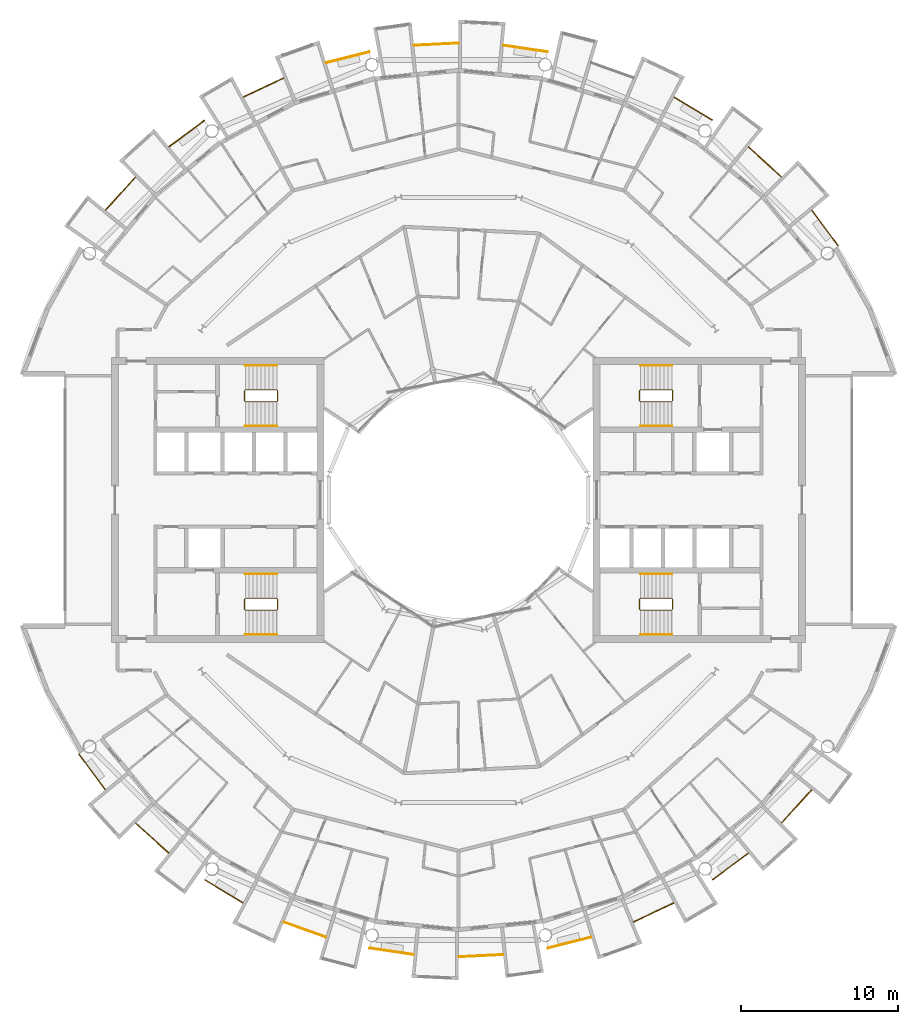
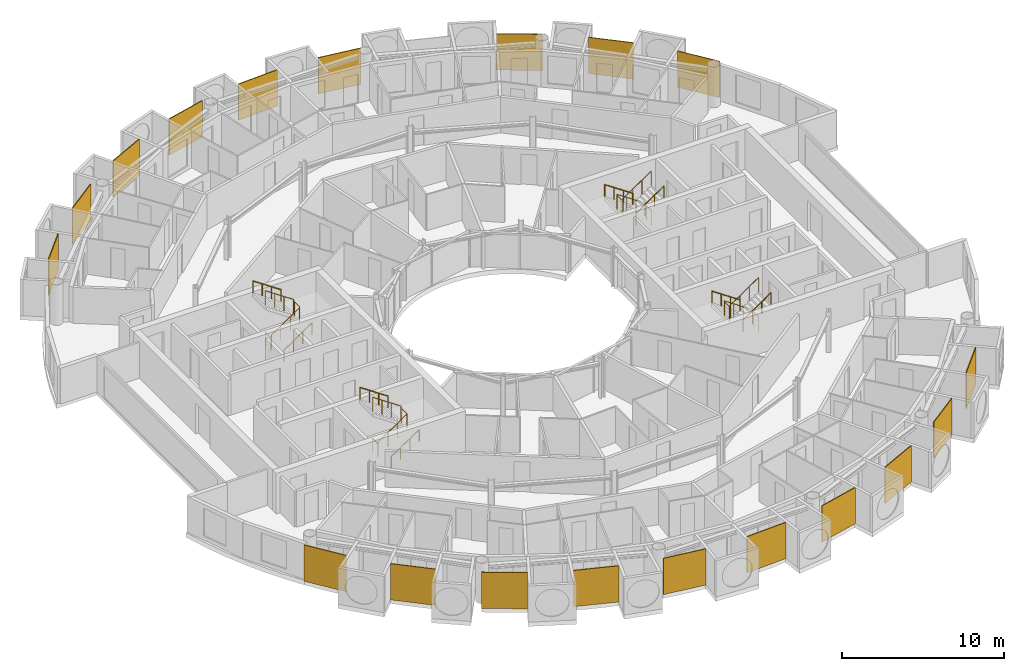
# One storey, part 28 of 29: 31 railings.
"""IFC4 building model written with IfcOpenShell, lengths in metres."""

import ifcopenshell
import ifcopenshell.guid

model = None  # the IFC model being written
_history = None  # IfcOwnerHistory: only IFC2X3 demands one
_inside = {}  # id of a spatial element -> (the spatial element, [elements in it])
_under = {}  # id of a project, library or spatial element -> (it, [spatial elements below it])
_declared = {}  # id of a project -> (the project, [libraries it declares])
_typed = {}  # id of a type object -> (the type object, [elements of that type])
_made_of = {}  # id of a material, layer set ... -> (it, [elements and type objects made of it])


def new_model(schema):
    """Start an empty IFC model of exactly this schema.

    Asked for "IFC4X3", IfcOpenShell would pick the latest addendum, in which some entities
    have other attributes; the version numbers below select the first issue.
    IFC2X3 requires an IfcOwnerHistory on every rooted entity: one is made here for all.
    """
    global model, _history
    if schema == "IFC4X3":
        model = ifcopenshell.file(schema_version=(4, 3, 0, 0))
    else:
        model = ifcopenshell.file(schema=schema)
    _inside.clear()
    _under.clear()
    _declared.clear()
    _typed.clear()
    _made_of.clear()
    _history = None
    if model.schema == "IFC2X3":
        org = make("IfcOrganization", Name="unknown")
        user = make(
            "IfcPersonAndOrganization",
            ThePerson=make("IfcPerson", FamilyName="unknown"),
            TheOrganization=org,
        )
        app = make(
            "IfcApplication",
            ApplicationDeveloper=org,
            Version="unknown",
            ApplicationFullName="unknown",
            ApplicationIdentifier="unknown",
        )
        _history = make(
            "IfcOwnerHistory",
            OwningUser=user,
            OwningApplication=app,
            ChangeAction="ADDED",
            CreationDate=0,
        )
    return model


def make(cls, **values):
    """One entity of the class cls with the attributes given. An attribute that is None is left unset."""
    return model.create_entity(
        cls, **{name: value for name, value in values.items() if value is not None}
    )


def rooted(cls, **values):
    """An entity with a GlobalId (a new one), such as an element, a storey or a relation."""
    return make(cls, GlobalId=ifcopenshell.guid.new(), OwnerHistory=_history, **values)


def si_unit(unit_type, name, prefix=None):
    """IfcSIUnit, for example si_unit("LENGTHUNIT", "METRE", prefix="MILLI")."""
    return make("IfcSIUnit", UnitType=unit_type, Prefix=prefix, Name=name)


def assignment(units):
    """IfcUnitAssignment: the units of a project."""
    return None if units is None else make("IfcUnitAssignment", Units=units)


def point(xyz):
    """IfcCartesianPoint."""
    return None if xyz is None else make("IfcCartesianPoint", Coordinates=xyz)


def direction(xyz):
    """IfcDirection."""
    return None if xyz is None else make("IfcDirection", DirectionRatios=xyz)


def frame(location, z_axis=None, x_axis=None):
    """IfcAxis2Placement3D, a coordinate frame: its origin and axes. An axis left out is left unset."""
    return make(
        "IfcAxis2Placement3D",
        Location=point(location),
        Axis=direction(z_axis),
        RefDirection=direction(x_axis),
    )


def frame_2d(location, x_axis=None):
    """IfcAxis2Placement2D, a coordinate frame in the plane: its origin and x axis."""
    return make(
        "IfcAxis2Placement2D", Location=point(location), RefDirection=direction(x_axis)
    )


def origin():
    """The frame at (0, 0, 0) with its axes left unset."""
    return frame((0.0, 0.0, 0.0))


def origin_2d():
    """The frame at (0, 0) in the plane with its x axis left unset."""
    return frame_2d((0.0, 0.0))


def place(relative_to, where):
    """IfcLocalPlacement: puts the frame where relative to a parent placement (None: the world)."""
    return make(
        "IfcLocalPlacement", PlacementRelTo=relative_to, RelativePlacement=where
    )


def context(
    kind, dimensions, precision=None, world=None, true_north=None, identifier=None
):
    """IfcGeometricRepresentationContext, for example the 3D "Model" context."""
    return make(
        "IfcGeometricRepresentationContext",
        ContextIdentifier=identifier,
        ContextType=kind,
        CoordinateSpaceDimension=dimensions,
        Precision=precision,
        WorldCoordinateSystem=world,
        TrueNorth=true_north,
    )


def subcontext(parent, identifier, kind, view, scale=None):
    """IfcGeometricRepresentationSubContext, for example "Body" below "Model"."""
    return make(
        "IfcGeometricRepresentationSubContext",
        ContextIdentifier=identifier,
        ContextType=kind,
        ParentContext=parent,
        TargetScale=scale,
        TargetView=view,
    )


def project(units=None, contexts=None):
    """IfcProject with its units and contexts."""
    return rooted(
        "IfcProject",
        Name="project",
        RepresentationContexts=contexts,
        UnitsInContext=assignment(units),
    )


def spatial(cls, under=None, at=None, **own):
    """A site, building, storey or space (cls), placed at a placement, below another one or the project."""
    s = rooted(cls, ObjectPlacement=at, **own)
    if under is not None:
        _under.setdefault(under.id(), (under, []))[1].append(s)
    return s


def polyline(points):
    """IfcPolyline through the points."""
    return make("IfcPolyline", Points=[point(p) for p in points])


def profile(cls, at=None, kind="AREA", **sizes):
    """A parametric profile (cls). Its sizes go by their IFC names, for example OverallWidth=200.0."""
    return make(cls, ProfileType=kind, Position=at, **sizes)


def circle(**sizes):
    """IfcCircleProfileDef."""
    return profile("IfcCircleProfileDef", **sizes)


def outline(outer, holes=None, kind="AREA"):
    """IfcArbitraryClosedProfileDef: a profile drawn as a closed curve; with holes, ...WithVoids."""
    if holes is None:
        return make("IfcArbitraryClosedProfileDef", ProfileType=kind, OuterCurve=outer)
    return make(
        "IfcArbitraryProfileDefWithVoids",
        ProfileType=kind,
        OuterCurve=outer,
        InnerCurves=holes,
    )


def extrude(swept, where, along, depth):
    """IfcExtrudedAreaSolid: the profile swept, set in the frame where, extruded along a direction by depth."""
    return make(
        "IfcExtrudedAreaSolid",
        SweptArea=swept,
        Position=where,
        ExtrudedDirection=direction(along),
        Depth=depth,
    )


def shape(context_of_items, identifier, shape_type, items):
    """IfcShapeRepresentation: the items that make up one representation, for example the "Body"."""
    return make(
        "IfcShapeRepresentation",
        ContextOfItems=context_of_items,
        RepresentationIdentifier=identifier,
        RepresentationType=shape_type,
        Items=items,
    )


def material(Name=None, Category=None):
    """IfcMaterial."""
    return make("IfcMaterial", Name=Name, Category=Category)


def layer(
    of_material, thickness, ventilated=None, Name=None, Category=None, Priority=None
):
    """IfcMaterialLayer: one layer of a wall or slab, of a material (None: an air gap)."""
    return make(
        "IfcMaterialLayer",
        Material=of_material,
        LayerThickness=thickness,
        IsVentilated=ventilated,
        Name=Name,
        Category=Category,
        Priority=Priority,
    )


def layer_set(layers, Name=None):
    """IfcMaterialLayerSet."""
    return make("IfcMaterialLayerSet", MaterialLayers=layers, LayerSetName=Name)


def made_of(thing, what):
    """Note that an element or type object is made of a material, layer set ...; save() writes the relation."""
    if what is not None:
        _made_of.setdefault(what.id(), (what, []))[1].append(thing)
    return thing


def type_object(cls, material=None, **own):
    """A type object (cls), such as IfcWallType, which elements share."""
    return made_of(rooted(cls, **own), material)


def element(
    cls,
    number,
    at=None,
    inside=None,
    cuts=None,
    type_object=None,
    material=None,
    context=None,
    identifier="Body",
    shape_type=None,
    held_by="IfcProductDefinitionShape",
    body=None,
    shapes=None,
    **own,
):
    """One element of the class cls, such as IfcWall. Its Tag is "e" and its number.

    at: its placement. inside: the storey or other place that contains it. cuts: it is an
    opening in that element (IfcRelVoidsElement). A single representation is given by context,
    identifier, shape_type and body (its items); several are given by shapes. held_by: the class
    of the entity that holds the representations. save() writes the other relations.
    """
    e = rooted(cls, Tag="e%d" % number, ObjectPlacement=at, **own)
    if body is not None:
        shapes = [shape(context, identifier, shape_type, body)]
    if shapes is not None:
        e.Representation = make(held_by, Representations=shapes)
    if inside is not None:
        _inside.setdefault(inside.id(), (inside, []))[1].append(e)
    if cuts is not None:
        rooted(
            "IfcRelVoidsElement", RelatingBuildingElement=cuts, RelatedOpeningElement=e
        )
    if type_object is not None:
        _typed.setdefault(type_object.id(), (type_object, []))[1].append(e)
    return made_of(e, material)


def aggregate(whole, parts):
    """IfcRelAggregates: a whole, such as a stair, and the parts it consists of."""
    return rooted("IfcRelAggregates", RelatingObject=whole, RelatedObjects=parts)


def save(model, path):
    """Write the relations noted so far, then the file.

    IfcRelAggregates (storeys below a building ...), IfcRelContainedInSpatialStructure (elements
    in a storey), IfcRelDefinesByType, IfcRelAssociatesMaterial and IfcRelDeclares: one each for
    every whole, place, type object, material and project.
    """
    for whole, parts in _under.values():
        aggregate(whole, parts)
    for where, things in _inside.values():
        rooted(
            "IfcRelContainedInSpatialStructure",
            RelatedElements=things,
            RelatingStructure=where,
        )
    for kind, things in _typed.values():
        rooted("IfcRelDefinesByType", RelatedObjects=things, RelatingType=kind)
    for what, things in _made_of.values():
        rooted("IfcRelAssociatesMaterial", RelatedObjects=things, RelatingMaterial=what)
    for by, libraries in _declared.values():
        rooted("IfcRelDeclares", RelatingContext=by, RelatedDefinitions=libraries)
    model.write(path)


model = new_model("IFC4")

# Units and contexts
model_context = context("Model", 3, precision=1e-05, world=origin(), true_north=direction((0.0, 1.0)))
body_context = subcontext(model_context, "Body", "Model", "MODEL_VIEW")
ifc_project = project(units=[si_unit("LENGTHUNIT", "METRE"), si_unit("AREAUNIT", "SQUARE_METRE"), si_unit("VOLUMEUNIT", "CUBIC_METRE"), si_unit("PLANEANGLEUNIT", "RADIAN"), si_unit("MASSUNIT", "GRAM", prefix="KILO")], contexts=[model_context])

# Site, building, storey
site_placement = place(None, origin())
site = spatial("IfcSite", under=ifc_project, at=site_placement, CompositionType="ELEMENT")
building_placement = place(site_placement, origin())
building = spatial("IfcBuilding", under=site, at=building_placement, Name="Maasbend Ring Residences", CompositionType="ELEMENT")
storey_placement = place(building_placement, frame((0.0, 0.0, 190.199951171875)))
storey = spatial("IfcBuildingStorey", under=building, at=storey_placement, Name="L54", CompositionType="ELEMENT", Elevation=190.199951171875)

# Railings
ifc_material_1 = material(Name="Pale anodised perforated aluminium", Category="aluminium")
ifc_layer = layer(ifc_material_1, 0.06005859375)
ifc_layer_set = layer_set([ifc_layer], Name="SCREEN-P")
railing_type_1 = type_object("IfcRailingType", Name="SCREEN-P", PredefinedType="GUARDRAIL", material=ifc_layer_set)
railing_1_placement = place(storey_placement, frame((0.0, 0.0, -0.030029296875)))
element("IfcRailing", 1, at=railing_1_placement, inside=storey, type_object=railing_type_1, Name="Perforated screen guard 1", PredefinedType="GUARDRAIL", context=body_context, shape_type="SweptSolid", body=[
    extrude(outline(polyline([(24.113037109375, 16.112060546875), (22.4169921875, 18.39697265625), (22.465087890625, 18.43310546875), (24.160888671875, 16.14697265625), (24.113037109375, 16.112060546875)])), origin(), (0.0, 0.0, 1.0), 2.72998046875),
])
railing_2_placement = place(storey_placement, frame((0.0, 0.0, -0.030029296875)))
element("IfcRailing", 2, at=railing_2_placement, inside=storey, type_object=railing_type_1, Name="Perforated screen guard 2", PredefinedType="GUARDRAIL", context=body_context, shape_type="SweptSolid", body=[
    extrude(outline(polyline([(20.506103515625, 20.506103515625), (18.39697265625, 22.4169921875), (18.43798828125, 22.4619140625), (20.5458984375, 20.551025390625), (20.506103515625, 20.506103515625)])), origin(), (0.0, 0.0, 1.0), 2.72998046875),
])
railing_3_placement = place(storey_placement, frame((0.0, 0.0, -0.030029296875)))
element("IfcRailing", 3, at=railing_3_placement, inside=storey, type_object=railing_type_1, Name="Perforated screen guard 3", PredefinedType="GUARDRAIL", context=body_context, shape_type="SweptSolid", body=[
    extrude(outline(polyline([(16.112060546875, 24.113037109375), (13.6708984375, 25.575927734375), (13.700927734375, 25.626953125), (16.14208984375, 24.1640625), (16.112060546875, 24.113037109375)])), origin(), (0.0, 0.0, 1.0), 2.72998046875),
])
railing_4_placement = place(storey_placement, frame((0.0, 0.0, -0.030029296875)))
element("IfcRailing", 4, at=railing_4_placement, inside=storey, type_object=railing_type_1, Name="Perforated screen guard 5", PredefinedType="GUARDRAIL", context=body_context, shape_type="SweptSolid", body=[
    extrude(outline(polyline([(5.657958984375, 28.443115234375), (2.842041015625, 28.860107421875), (2.85107421875, 28.919921875), (5.666015625, 28.501953125), (5.657958984375, 28.443115234375)])), origin(), (0.0, 0.0, 1.0), 2.72998046875),
])
railing_5_placement = place(storey_placement, frame((0.0, 0.0, -0.030029296875)))
element("IfcRailing", 5, at=railing_5_placement, inside=storey, type_object=railing_type_1, Name="Perforated screen guard 6", PredefinedType="GUARDRAIL", context=body_context, shape_type="SweptSolid", body=[
    extrude(outline(polyline([(0.0, 29.0), (-2.842041015625, 28.860107421875), (-2.844970703125, 28.919921875), (-0.0029296875, 29.06005859375), (0.0, 29.0)])), origin(), (0.0, 0.0, 1.0), 2.72998046875),
])
railing_6_placement = place(storey_placement, frame((0.0, 0.0, -0.030029296875)))
element("IfcRailing", 6, at=railing_6_placement, inside=storey, type_object=railing_type_1, Name="Perforated screen guard 7", PredefinedType="GUARDRAIL", context=body_context, shape_type="SweptSolid", body=[
    extrude(outline(polyline([(-5.657958984375, 28.443115234375), (-8.41796875, 27.7509765625), (-8.43310546875, 27.80908203125), (-5.672119140625, 28.5009765625), (-5.657958984375, 28.443115234375)])), origin(), (0.0, 0.0, 1.0), 2.72998046875),
])
railing_7_placement = place(storey_placement, frame((0.0, 0.0, -0.030029296875)))
element("IfcRailing", 7, at=railing_7_placement, inside=storey, type_object=railing_type_1, Name="Perforated screen guard 8", PredefinedType="GUARDRAIL", context=body_context, shape_type="SweptSolid", body=[
    extrude(outline(polyline([(-11.097900390625, 26.79296875), (-13.6708984375, 25.575927734375), (-13.696044921875, 25.6298828125), (-11.123046875, 26.846923828125), (-11.097900390625, 26.79296875)])), origin(), (0.0, 0.0, 1.0), 2.72998046875),
])
railing_8_placement = place(storey_placement, frame((0.0, 0.0, -0.030029296875)))
element("IfcRailing", 8, at=railing_8_placement, inside=storey, type_object=railing_type_1, Name="Perforated screen guard 9", PredefinedType="GUARDRAIL", context=body_context, shape_type="SweptSolid", body=[
    extrude(outline(polyline([(-16.112060546875, 24.113037109375), (-18.39697265625, 22.4169921875), (-18.43310546875, 22.465087890625), (-16.14697265625, 24.160888671875), (-16.112060546875, 24.113037109375)])), origin(), (0.0, 0.0, 1.0), 2.72998046875),
])
railing_9_placement = place(storey_placement, frame((0.0, 0.0, -0.030029296875)))
element("IfcRailing", 9, at=railing_9_placement, inside=storey, type_object=railing_type_1, Name="Perforated screen guard 10", PredefinedType="GUARDRAIL", context=body_context, shape_type="SweptSolid", body=[
    extrude(outline(polyline([(-20.506103515625, 20.506103515625), (-22.4169921875, 18.39697265625), (-22.4619140625, 18.43798828125), (-20.551025390625, 20.5458984375), (-20.506103515625, 20.506103515625)])), origin(), (0.0, 0.0, 1.0), 2.72998046875),
])
railing_10_placement = place(storey_placement, frame((0.0, 0.0, -0.030029296875)))
element("IfcRailing", 10, at=railing_10_placement, inside=storey, type_object=railing_type_1, Name="Perforated screen guard 1", PredefinedType="GUARDRAIL", context=body_context, shape_type="SweptSolid", body=[
    extrude(outline(polyline([(-24.113037109375, -16.112060546875), (-22.4169921875, -18.39697265625), (-22.465087890625, -18.43310546875), (-24.160888671875, -16.14697265625), (-24.113037109375, -16.112060546875)])), origin(), (0.0, 0.0, 1.0), 2.72998046875),
])
railing_11_placement = place(storey_placement, frame((0.0, 0.0, -0.030029296875)))
element("IfcRailing", 11, at=railing_11_placement, inside=storey, type_object=railing_type_1, Name="Perforated screen guard 2", PredefinedType="GUARDRAIL", context=body_context, shape_type="SweptSolid", body=[
    extrude(outline(polyline([(-20.506103515625, -20.506103515625), (-18.39697265625, -22.4169921875), (-18.43798828125, -22.4619140625), (-20.5458984375, -20.551025390625), (-20.506103515625, -20.506103515625)])), origin(), (0.0, 0.0, 1.0), 2.72998046875),
])
railing_12_placement = place(storey_placement, frame((0.0, 0.0, -0.030029296875)))
element("IfcRailing", 12, at=railing_12_placement, inside=storey, type_object=railing_type_1, Name="Perforated screen guard 3", PredefinedType="GUARDRAIL", context=body_context, shape_type="SweptSolid", body=[
    extrude(outline(polyline([(-16.112060546875, -24.113037109375), (-13.6708984375, -25.575927734375), (-13.700927734375, -25.626953125), (-16.14208984375, -24.1640625), (-16.112060546875, -24.113037109375)])), origin(), (0.0, 0.0, 1.0), 2.72998046875),
])
railing_13_placement = place(storey_placement, frame((0.0, 0.0, -0.030029296875)))
element("IfcRailing", 13, at=railing_13_placement, inside=storey, type_object=railing_type_1, Name="Perforated screen guard 4", PredefinedType="GUARDRAIL", context=body_context, shape_type="SweptSolid", body=[
    extrude(outline(polyline([(-11.097900390625, -26.79296875), (-8.41796875, -27.7509765625), (-8.43798828125, -27.80810546875), (-11.117919921875, -26.84912109375), (-11.097900390625, -26.79296875)])), origin(), (0.0, 0.0, 1.0), 2.72998046875),
])
railing_14_placement = place(storey_placement, frame((0.0, 0.0, -0.030029296875)))
element("IfcRailing", 14, at=railing_14_placement, inside=storey, type_object=railing_type_1, Name="Perforated screen guard 5", PredefinedType="GUARDRAIL", context=body_context, shape_type="SweptSolid", body=[
    extrude(outline(polyline([(-5.657958984375, -28.443115234375), (-2.842041015625, -28.860107421875), (-2.85107421875, -28.919921875), (-5.666015625, -28.501953125), (-5.657958984375, -28.443115234375)])), origin(), (0.0, 0.0, 1.0), 2.72998046875),
])
railing_15_placement = place(storey_placement, frame((0.0, 0.0, -0.030029296875)))
element("IfcRailing", 15, at=railing_15_placement, inside=storey, type_object=railing_type_1, Name="Perforated screen guard 6", PredefinedType="GUARDRAIL", context=body_context, shape_type="SweptSolid", body=[
    extrude(outline(polyline([(0.0, -29.0), (2.842041015625, -28.860107421875), (2.844970703125, -28.919921875), (0.0029296875, -29.06005859375), (0.0, -29.0)])), origin(), (0.0, 0.0, 1.0), 2.72998046875),
])
railing_16_placement = place(storey_placement, frame((0.0, 0.0, -0.030029296875)))
element("IfcRailing", 16, at=railing_16_placement, inside=storey, type_object=railing_type_1, Name="Perforated screen guard 7", PredefinedType="GUARDRAIL", context=body_context, shape_type="SweptSolid", body=[
    extrude(outline(polyline([(5.657958984375, -28.443115234375), (8.41796875, -27.7509765625), (8.43310546875, -27.80908203125), (5.672119140625, -28.5009765625), (5.657958984375, -28.443115234375)])), origin(), (0.0, 0.0, 1.0), 2.72998046875),
])
railing_17_placement = place(storey_placement, frame((0.0, 0.0, -0.030029296875)))
element("IfcRailing", 17, at=railing_17_placement, inside=storey, type_object=railing_type_1, Name="Perforated screen guard 8", PredefinedType="GUARDRAIL", context=body_context, shape_type="SweptSolid", body=[
    extrude(outline(polyline([(11.097900390625, -26.79296875), (13.6708984375, -25.575927734375), (13.696044921875, -25.6298828125), (11.123046875, -26.846923828125), (11.097900390625, -26.79296875)])), origin(), (0.0, 0.0, 1.0), 2.72998046875),
])
railing_18_placement = place(storey_placement, frame((0.0, 0.0, -0.030029296875)))
element("IfcRailing", 18, at=railing_18_placement, inside=storey, type_object=railing_type_1, Name="Perforated screen guard 9", PredefinedType="GUARDRAIL", context=body_context, shape_type="SweptSolid", body=[
    extrude(outline(polyline([(16.112060546875, -24.113037109375), (18.39697265625, -22.4169921875), (18.43310546875, -22.465087890625), (16.14697265625, -24.160888671875), (16.112060546875, -24.113037109375)])), origin(), (0.0, 0.0, 1.0), 2.72998046875),
])
railing_19_placement = place(storey_placement, frame((0.0, 0.0, -0.030029296875)))
element("IfcRailing", 19, at=railing_19_placement, inside=storey, type_object=railing_type_1, Name="Perforated screen guard 10", PredefinedType="GUARDRAIL", context=body_context, shape_type="SweptSolid", body=[
    extrude(outline(polyline([(20.506103515625, -20.506103515625), (22.4169921875, -18.39697265625), (22.4619140625, -18.43798828125), (20.551025390625, -20.5458984375), (20.506103515625, -20.506103515625)])), origin(), (0.0, 0.0, 1.0), 2.72998046875),
])
ifc_material_2 = material(Name="Stainless steel 316", Category="steel")
railing_type_2 = type_object("IfcRailingType", Name="STAIR GUARD 1100", PredefinedType="GUARDRAIL", material=ifc_material_2)
railing_20_placement = place(storey_placement, frame((13.60009765625, 6.300048828125, 0.0)))
element("IfcRailing", 20, at=railing_20_placement, inside=storey, type_object=railing_type_2, Name="L54 ST-E1 stair guard 1", PredefinedType="GUARDRAIL", context=body_context, shape_type="SweptSolid", body=[
    extrude(circle(Radius=0.02392578125, at=origin_2d()), frame((0.0, 0.0, 1.076171875), z_axis=(0.0, 1.0, 0.0), x_axis=(-1.0, 0.0, 0.0)), (0.0, 0.0, 1.0), 0.64990234375),
    extrude(circle(Radius=0.02392578125, at=origin_2d()), frame((0.0, 0.64990234375, 1.076171875), z_axis=(-0.272562526181, 0.272562526181, 0.92272386912), x_axis=(-0.707106781187, -0.707106781187, 0.0)), (0.0, 0.0, 1.0), 0.18359375),
    extrude(circle(Radius=0.02392578125, at=origin_2d()), frame((-0.050048828125, 0.699951171875, 1.24560546875), z_axis=(-0.827750655447, 0.0, 0.561096116906), x_axis=(0.0, -1.0, 0.0)), (0.0, 0.0, 1.0), 2.416259765625),
    extrude(circle(Radius=0.02392578125, at=origin_2d()), frame((-2.050048828125, 0.699951171875, 2.60107421875), z_axis=(-0.707106781187, -0.707106781187, 0.0), x_axis=(0.707106781187, -0.707106781187, 0.0)), (0.0, 0.0, 1.0), 0.07080078125),
    extrude(circle(Radius=0.02392578125, at=origin_2d()), frame((-2.10009765625, 0.64990234375, 2.60107421875), z_axis=(0.0, -1.0, 0.0), x_axis=(1.0, 0.0, 0.0)), (0.0, 0.0, 1.0), 0.64990234375),
    extrude(circle(Radius=0.02392578125, at=origin_2d()), frame((-2.10009765625, 0.0, 2.60107421875), z_axis=(0.272562526181, -0.272562526181, 0.92272386912), x_axis=(0.707106781187, 0.707106781187, 0.0)), (0.0, 0.0, 1.0), 0.18359375),
    extrude(circle(Radius=0.02392578125, at=origin_2d()), frame((-2.050048828125, -0.050048828125, 2.7705078125), z_axis=(0.827797584762, 0.0, 0.561026878735), x_axis=(0.0, 1.0, 0.0)), (0.0, 0.0, 1.0), 2.416015625),
    extrude(circle(Radius=0.02099609375, at=origin_2d()), origin(), (0.0, 0.0, 1.0), 1.052001953125),
    extrude(circle(Radius=0.02099609375, at=origin_2d()), frame((0.0, 0.64990234375, 0.0)), (0.0, 0.0, 1.0), 1.052001953125),
    extrude(circle(Radius=0.02099609375, at=origin_2d()), frame((-0.050048828125, 0.699951171875, 0.16943359375)), (0.0, 0.0, 1.0), 1.052001953125),
    extrude(circle(Radius=0.02099609375, at=origin_2d()), frame((-0.716796875, 0.699951171875, 0.621337890625)), (0.0, 0.0, 1.0), 1.052001953125),
    extrude(circle(Radius=0.02099609375, at=origin_2d()), frame((-1.38330078125, 0.699951171875, 1.0732421875)), (0.0, 0.0, 1.0), 1.052001953125),
    extrude(circle(Radius=0.02099609375, at=origin_2d()), frame((-2.050048828125, 0.699951171875, 1.525146484375)), (0.0, 0.0, 1.0), 1.052001953125),
    extrude(circle(Radius=0.02099609375, at=origin_2d()), frame((-2.10009765625, 0.64990234375, 1.525146484375)), (0.0, 0.0, 1.0), 1.052001953125),
    extrude(circle(Radius=0.02099609375, at=origin_2d()), frame((-2.10009765625, 0.0, 1.525146484375)), (0.0, 0.0, 1.0), 1.052001953125),
    extrude(circle(Radius=0.02099609375, at=origin_2d()), frame((-2.050048828125, -0.050048828125, 1.694580078125)), (0.0, 0.0, 1.0), 1.052001953125),
    extrude(circle(Radius=0.02099609375, at=origin_2d()), frame((-1.38330078125, -0.050048828125, 2.146484375)), (0.0, 0.0, 1.0), 1.052001953125),
    extrude(circle(Radius=0.02099609375, at=origin_2d()), frame((-0.716796875, -0.050048828125, 2.59814453125)), (0.0, 0.0, 1.0), 1.052001953125),
    extrude(circle(Radius=0.02099609375, at=origin_2d()), frame((-0.050048828125, -0.050048828125, 3.050048828125)), (0.0, 0.0, 1.0), 1.052001953125),
])
railing_21_placement = place(storey_placement, frame((13.60009765625, -6.949951171875, 0.0)))
element("IfcRailing", 21, at=railing_21_placement, inside=storey, type_object=railing_type_2, Name="L54 ST-E2 stair guard 1", PredefinedType="GUARDRAIL", context=body_context, shape_type="SweptSolid", body=[
    extrude(circle(Radius=0.02392578125, at=origin_2d()), frame((0.0, 0.0, 1.076171875), z_axis=(0.0, 1.0, 0.0), x_axis=(-1.0, 0.0, 0.0)), (0.0, 0.0, 1.0), 0.64990234375),
    extrude(circle(Radius=0.02392578125, at=origin_2d()), frame((0.0, 0.64990234375, 1.076171875), z_axis=(-0.272562526181, 0.272562526181, 0.92272386912), x_axis=(-0.707106781187, -0.707106781187, 0.0)), (0.0, 0.0, 1.0), 0.18359375),
    extrude(circle(Radius=0.02392578125, at=origin_2d()), frame((-0.050048828125, 0.699951171875, 1.24560546875), z_axis=(-0.827750655447, 0.0, 0.561096116906), x_axis=(0.0, -1.0, 0.0)), (0.0, 0.0, 1.0), 2.416259765625),
    extrude(circle(Radius=0.02392578125, at=origin_2d()), frame((-2.050048828125, 0.699951171875, 2.60107421875), z_axis=(-0.707106781187, -0.707106781187, 0.0), x_axis=(0.707106781187, -0.707106781187, 0.0)), (0.0, 0.0, 1.0), 0.07080078125),
    extrude(circle(Radius=0.02392578125, at=origin_2d()), frame((-2.10009765625, 0.64990234375, 2.60107421875), z_axis=(0.0, -1.0, 0.0), x_axis=(1.0, 0.0, 0.0)), (0.0, 0.0, 1.0), 0.64990234375),
    extrude(circle(Radius=0.02392578125, at=origin_2d()), frame((-2.10009765625, 0.0, 2.60107421875), z_axis=(0.272562526181, -0.272562526181, 0.92272386912), x_axis=(0.707106781187, 0.707106781187, 0.0)), (0.0, 0.0, 1.0), 0.18359375),
    extrude(circle(Radius=0.02392578125, at=origin_2d()), frame((-2.050048828125, -0.050048828125, 2.7705078125), z_axis=(0.827797584762, 0.0, 0.561026878735), x_axis=(0.0, 1.0, 0.0)), (0.0, 0.0, 1.0), 2.416015625),
    extrude(circle(Radius=0.02099609375, at=origin_2d()), origin(), (0.0, 0.0, 1.0), 1.052001953125),
    extrude(circle(Radius=0.02099609375, at=origin_2d()), frame((0.0, 0.64990234375, 0.0)), (0.0, 0.0, 1.0), 1.052001953125),
    extrude(circle(Radius=0.02099609375, at=origin_2d()), frame((-0.050048828125, 0.699951171875, 0.16943359375)), (0.0, 0.0, 1.0), 1.052001953125),
    extrude(circle(Radius=0.02099609375, at=origin_2d()), frame((-0.716796875, 0.699951171875, 0.621337890625)), (0.0, 0.0, 1.0), 1.052001953125),
    extrude(circle(Radius=0.02099609375, at=origin_2d()), frame((-1.38330078125, 0.699951171875, 1.0732421875)), (0.0, 0.0, 1.0), 1.052001953125),
    extrude(circle(Radius=0.02099609375, at=origin_2d()), frame((-2.050048828125, 0.699951171875, 1.525146484375)), (0.0, 0.0, 1.0), 1.052001953125),
    extrude(circle(Radius=0.02099609375, at=origin_2d()), frame((-2.10009765625, 0.64990234375, 1.525146484375)), (0.0, 0.0, 1.0), 1.052001953125),
    extrude(circle(Radius=0.02099609375, at=origin_2d()), frame((-2.10009765625, 0.0, 1.525146484375)), (0.0, 0.0, 1.0), 1.052001953125),
    extrude(circle(Radius=0.02099609375, at=origin_2d()), frame((-2.050048828125, -0.050048828125, 1.694580078125)), (0.0, 0.0, 1.0), 1.052001953125),
    extrude(circle(Radius=0.02099609375, at=origin_2d()), frame((-1.38330078125, -0.050048828125, 2.146484375)), (0.0, 0.0, 1.0), 1.052001953125),
    extrude(circle(Radius=0.02099609375, at=origin_2d()), frame((-0.716796875, -0.050048828125, 2.59814453125)), (0.0, 0.0, 1.0), 1.052001953125),
    extrude(circle(Radius=0.02099609375, at=origin_2d()), frame((-0.050048828125, -0.050048828125, 3.050048828125)), (0.0, 0.0, 1.0), 1.052001953125),
])
railing_22_placement = place(storey_placement, frame((-13.60009765625, -6.300048828125, 0.0)))
element("IfcRailing", 22, at=railing_22_placement, inside=storey, type_object=railing_type_2, Name="L54 ST-W1 stair guard 1", PredefinedType="GUARDRAIL", context=body_context, shape_type="SweptSolid", body=[
    extrude(circle(Radius=0.02392578125, at=origin_2d()), frame((0.0, 0.0, 1.076171875), z_axis=(0.0, -1.0, 0.0), x_axis=(1.0, 0.0, 0.0)), (0.0, 0.0, 1.0), 0.64990234375),
    extrude(circle(Radius=0.02392578125, at=origin_2d()), frame((0.0, -0.64990234375, 1.076171875), z_axis=(0.272562526181, -0.272562526181, 0.92272386912), x_axis=(0.707106781187, 0.707106781187, 0.0)), (0.0, 0.0, 1.0), 0.18359375),
    extrude(circle(Radius=0.02392578125, at=origin_2d()), frame((0.050048828125, -0.699951171875, 1.24560546875), z_axis=(0.827750655447, 0.0, 0.561096116906), x_axis=(0.0, 1.0, 0.0)), (0.0, 0.0, 1.0), 2.416259765625),
    extrude(circle(Radius=0.02392578125, at=origin_2d()), frame((2.050048828125, -0.699951171875, 2.60107421875), z_axis=(0.707106781187, 0.707106781187, 0.0), x_axis=(-0.707106781187, 0.707106781187, 0.0)), (0.0, 0.0, 1.0), 0.07080078125),
    extrude(circle(Radius=0.02392578125, at=origin_2d()), frame((2.10009765625, -0.64990234375, 2.60107421875), z_axis=(0.0, 1.0, 0.0), x_axis=(-1.0, 0.0, 0.0)), (0.0, 0.0, 1.0), 0.64990234375),
    extrude(circle(Radius=0.02392578125, at=origin_2d()), frame((2.10009765625, 0.0, 2.60107421875), z_axis=(-0.272562526181, 0.272562526181, 0.92272386912), x_axis=(-0.707106781187, -0.707106781187, 0.0)), (0.0, 0.0, 1.0), 0.18359375),
    extrude(circle(Radius=0.02392578125, at=origin_2d()), frame((2.050048828125, 0.050048828125, 2.7705078125), z_axis=(-0.827797584762, 0.0, 0.561026878735), x_axis=(0.0, -1.0, 0.0)), (0.0, 0.0, 1.0), 2.416015625),
    extrude(circle(Radius=0.02099609375, at=origin_2d()), origin(), (0.0, 0.0, 1.0), 1.052001953125),
    extrude(circle(Radius=0.02099609375, at=origin_2d()), frame((0.0, -0.64990234375, 0.0)), (0.0, 0.0, 1.0), 1.052001953125),
    extrude(circle(Radius=0.02099609375, at=origin_2d()), frame((0.050048828125, -0.699951171875, 0.16943359375)), (0.0, 0.0, 1.0), 1.052001953125),
    extrude(circle(Radius=0.02099609375, at=origin_2d()), frame((0.716796875, -0.699951171875, 0.621337890625)), (0.0, 0.0, 1.0), 1.052001953125),
    extrude(circle(Radius=0.02099609375, at=origin_2d()), frame((1.38330078125, -0.699951171875, 1.0732421875)), (0.0, 0.0, 1.0), 1.052001953125),
    extrude(circle(Radius=0.02099609375, at=origin_2d()), frame((2.050048828125, -0.699951171875, 1.525146484375)), (0.0, 0.0, 1.0), 1.052001953125),
    extrude(circle(Radius=0.02099609375, at=origin_2d()), frame((2.10009765625, -0.64990234375, 1.525146484375)), (0.0, 0.0, 1.0), 1.052001953125),
    extrude(circle(Radius=0.02099609375, at=origin_2d()), frame((2.10009765625, 0.0, 1.525146484375)), (0.0, 0.0, 1.0), 1.052001953125),
    extrude(circle(Radius=0.02099609375, at=origin_2d()), frame((2.050048828125, 0.050048828125, 1.694580078125)), (0.0, 0.0, 1.0), 1.052001953125),
    extrude(circle(Radius=0.02099609375, at=origin_2d()), frame((1.38330078125, 0.050048828125, 2.146484375)), (0.0, 0.0, 1.0), 1.052001953125),
    extrude(circle(Radius=0.02099609375, at=origin_2d()), frame((0.716796875, 0.050048828125, 2.59814453125)), (0.0, 0.0, 1.0), 1.052001953125),
    extrude(circle(Radius=0.02099609375, at=origin_2d()), frame((0.050048828125, 0.050048828125, 3.050048828125)), (0.0, 0.0, 1.0), 1.052001953125),
])
railing_23_placement = place(storey_placement, frame((-13.60009765625, 6.949951171875, 0.0)))
element("IfcRailing", 23, at=railing_23_placement, inside=storey, type_object=railing_type_2, Name="L54 ST-W2 stair guard 1", PredefinedType="GUARDRAIL", context=body_context, shape_type="SweptSolid", body=[
    extrude(circle(Radius=0.02392578125, at=origin_2d()), frame((0.0, 0.0, 1.076171875), z_axis=(0.0, -1.0, 0.0), x_axis=(1.0, 0.0, 0.0)), (0.0, 0.0, 1.0), 0.64990234375),
    extrude(circle(Radius=0.02392578125, at=origin_2d()), frame((0.0, -0.64990234375, 1.076171875), z_axis=(0.272562526181, -0.272562526181, 0.92272386912), x_axis=(0.707106781187, 0.707106781187, 0.0)), (0.0, 0.0, 1.0), 0.18359375),
    extrude(circle(Radius=0.02392578125, at=origin_2d()), frame((0.050048828125, -0.699951171875, 1.24560546875), z_axis=(0.827750655447, 0.0, 0.561096116906), x_axis=(0.0, 1.0, 0.0)), (0.0, 0.0, 1.0), 2.416259765625),
    extrude(circle(Radius=0.02392578125, at=origin_2d()), frame((2.050048828125, -0.699951171875, 2.60107421875), z_axis=(0.707106781187, 0.707106781187, 0.0), x_axis=(-0.707106781187, 0.707106781187, 0.0)), (0.0, 0.0, 1.0), 0.07080078125),
    extrude(circle(Radius=0.02392578125, at=origin_2d()), frame((2.10009765625, -0.64990234375, 2.60107421875), z_axis=(0.0, 1.0, 0.0), x_axis=(-1.0, 0.0, 0.0)), (0.0, 0.0, 1.0), 0.64990234375),
    extrude(circle(Radius=0.02392578125, at=origin_2d()), frame((2.10009765625, 0.0, 2.60107421875), z_axis=(-0.272562526181, 0.272562526181, 0.92272386912), x_axis=(-0.707106781187, -0.707106781187, 0.0)), (0.0, 0.0, 1.0), 0.18359375),
    extrude(circle(Radius=0.02392578125, at=origin_2d()), frame((2.050048828125, 0.050048828125, 2.7705078125), z_axis=(-0.827797584762, 0.0, 0.561026878735), x_axis=(0.0, -1.0, 0.0)), (0.0, 0.0, 1.0), 2.416015625),
    extrude(circle(Radius=0.02099609375, at=origin_2d()), origin(), (0.0, 0.0, 1.0), 1.052001953125),
    extrude(circle(Radius=0.02099609375, at=origin_2d()), frame((0.0, -0.64990234375, 0.0)), (0.0, 0.0, 1.0), 1.052001953125),
    extrude(circle(Radius=0.02099609375, at=origin_2d()), frame((0.050048828125, -0.699951171875, 0.16943359375)), (0.0, 0.0, 1.0), 1.052001953125),
    extrude(circle(Radius=0.02099609375, at=origin_2d()), frame((0.716796875, -0.699951171875, 0.621337890625)), (0.0, 0.0, 1.0), 1.052001953125),
    extrude(circle(Radius=0.02099609375, at=origin_2d()), frame((1.38330078125, -0.699951171875, 1.0732421875)), (0.0, 0.0, 1.0), 1.052001953125),
    extrude(circle(Radius=0.02099609375, at=origin_2d()), frame((2.050048828125, -0.699951171875, 1.525146484375)), (0.0, 0.0, 1.0), 1.052001953125),
    extrude(circle(Radius=0.02099609375, at=origin_2d()), frame((2.10009765625, -0.64990234375, 1.525146484375)), (0.0, 0.0, 1.0), 1.052001953125),
    extrude(circle(Radius=0.02099609375, at=origin_2d()), frame((2.10009765625, 0.0, 1.525146484375)), (0.0, 0.0, 1.0), 1.052001953125),
    extrude(circle(Radius=0.02099609375, at=origin_2d()), frame((2.050048828125, 0.050048828125, 1.694580078125)), (0.0, 0.0, 1.0), 1.052001953125),
    extrude(circle(Radius=0.02099609375, at=origin_2d()), frame((1.38330078125, 0.050048828125, 2.146484375)), (0.0, 0.0, 1.0), 1.052001953125),
    extrude(circle(Radius=0.02099609375, at=origin_2d()), frame((0.716796875, 0.050048828125, 2.59814453125)), (0.0, 0.0, 1.0), 1.052001953125),
    extrude(circle(Radius=0.02099609375, at=origin_2d()), frame((0.050048828125, 0.050048828125, 3.050048828125)), (0.0, 0.0, 1.0), 1.052001953125),
])
ifc_material_3 = material(Name="Stainless steel 316", Category="steel")
railing_type_3 = type_object("IfcRailingType", Name="STAIR HANDRAIL 900", PredefinedType="HANDRAIL", material=ifc_material_3)
railing_24_placement = place(storey_placement, frame((13.550048828125, 8.550048828125, 0.16943359375)))
element("IfcRailing", 24, at=railing_24_placement, inside=storey, type_object=railing_type_3, Name="L54 ST-E1 stair handrail 1", PredefinedType="HANDRAIL", context=body_context, shape_type="SweptSolid", body=[
    extrude(circle(Radius=0.02392578125, at=origin_2d()), frame((0.0, 0.0, 0.8759765625), z_axis=(-0.827750655447, 0.0, 0.561096116906), x_axis=(0.0, -1.0, 0.0)), (0.0, 0.0, 1.0), 2.416259765625),
    extrude(circle(Radius=0.02099609375, at=origin_2d()), origin(), (0.0, 0.0, 1.0), 0.851806640625),
    extrude(circle(Radius=0.02099609375, at=origin_2d()), frame((-0.666748046875, 0.0, 0.451904296875)), (0.0, 0.0, 1.0), 0.851806640625),
    extrude(circle(Radius=0.02099609375, at=origin_2d()), frame((-1.333251953125, 0.0, 0.90380859375)), (0.0, 0.0, 1.0), 0.851806640625),
    extrude(circle(Radius=0.02099609375, at=origin_2d()), frame((-2.0, 0.0, 1.355712890625)), (0.0, 0.0, 1.0), 0.851806640625),
])
railing_25_placement = place(storey_placement, frame((11.550048828125, 4.699951171875, 1.694580078125)))
element("IfcRailing", 25, at=railing_25_placement, inside=storey, type_object=railing_type_3, Name="L54 ST-E1 stair handrail 2", PredefinedType="HANDRAIL", context=body_context, shape_type="SweptSolid", body=[
    extrude(circle(Radius=0.02392578125, at=origin_2d()), frame((0.0, 0.0, 0.8759765625), z_axis=(0.827797584762, 0.0, 0.561026878735), x_axis=(0.0, 1.0, 0.0)), (0.0, 0.0, 1.0), 2.416015625),
    extrude(circle(Radius=0.02099609375, at=origin_2d()), origin(), (0.0, 0.0, 1.0), 0.851806640625),
    extrude(circle(Radius=0.02099609375, at=origin_2d()), frame((0.666748046875, 0.0, 0.451904296875)), (0.0, 0.0, 1.0), 0.851806640625),
    extrude(circle(Radius=0.02099609375, at=origin_2d()), frame((1.333251953125, 0.0, 0.903564453125)), (0.0, 0.0, 1.0), 0.851806640625),
    extrude(circle(Radius=0.02099609375, at=origin_2d()), frame((2.0, 0.0, 1.35546875)), (0.0, 0.0, 1.0), 0.851806640625),
])
railing_26_placement = place(storey_placement, frame((13.550048828125, -4.699951171875, 0.16943359375)))
element("IfcRailing", 26, at=railing_26_placement, inside=storey, type_object=railing_type_3, Name="L54 ST-E2 stair handrail 1", PredefinedType="HANDRAIL", context=body_context, shape_type="SweptSolid", body=[
    extrude(circle(Radius=0.02392578125, at=origin_2d()), frame((0.0, 0.0, 0.8759765625), z_axis=(-0.827750655447, 0.0, 0.561096116906), x_axis=(0.0, -1.0, 0.0)), (0.0, 0.0, 1.0), 2.416259765625),
    extrude(circle(Radius=0.02099609375, at=origin_2d()), origin(), (0.0, 0.0, 1.0), 0.851806640625),
    extrude(circle(Radius=0.02099609375, at=origin_2d()), frame((-0.666748046875, 0.0, 0.451904296875)), (0.0, 0.0, 1.0), 0.851806640625),
    extrude(circle(Radius=0.02099609375, at=origin_2d()), frame((-1.333251953125, 0.0, 0.90380859375)), (0.0, 0.0, 1.0), 0.851806640625),
    extrude(circle(Radius=0.02099609375, at=origin_2d()), frame((-2.0, 0.0, 1.355712890625)), (0.0, 0.0, 1.0), 0.851806640625),
])
railing_27_placement = place(storey_placement, frame((11.550048828125, -8.550048828125, 1.694580078125)))
element("IfcRailing", 27, at=railing_27_placement, inside=storey, type_object=railing_type_3, Name="L54 ST-E2 stair handrail 2", PredefinedType="HANDRAIL", context=body_context, shape_type="SweptSolid", body=[
    extrude(circle(Radius=0.02392578125, at=origin_2d()), frame((0.0, 0.0, 0.8759765625), z_axis=(0.827797584762, 0.0, 0.561026878735), x_axis=(0.0, 1.0, 0.0)), (0.0, 0.0, 1.0), 2.416015625),
    extrude(circle(Radius=0.02099609375, at=origin_2d()), origin(), (0.0, 0.0, 1.0), 0.851806640625),
    extrude(circle(Radius=0.02099609375, at=origin_2d()), frame((0.666748046875, 0.0, 0.451904296875)), (0.0, 0.0, 1.0), 0.851806640625),
    extrude(circle(Radius=0.02099609375, at=origin_2d()), frame((1.333251953125, 0.0, 0.903564453125)), (0.0, 0.0, 1.0), 0.851806640625),
    extrude(circle(Radius=0.02099609375, at=origin_2d()), frame((2.0, 0.0, 1.35546875)), (0.0, 0.0, 1.0), 0.851806640625),
])
railing_28_placement = place(storey_placement, frame((-13.550048828125, -8.550048828125, 0.16943359375)))
element("IfcRailing", 28, at=railing_28_placement, inside=storey, type_object=railing_type_3, Name="L54 ST-W1 stair handrail 1", PredefinedType="HANDRAIL", context=body_context, shape_type="SweptSolid", body=[
    extrude(circle(Radius=0.02392578125, at=origin_2d()), frame((0.0, 0.0, 0.8759765625), z_axis=(0.827750655447, 0.0, 0.561096116906), x_axis=(0.0, 1.0, 0.0)), (0.0, 0.0, 1.0), 2.416259765625),
    extrude(circle(Radius=0.02099609375, at=origin_2d()), origin(), (0.0, 0.0, 1.0), 0.851806640625),
    extrude(circle(Radius=0.02099609375, at=origin_2d()), frame((0.666748046875, 0.0, 0.451904296875)), (0.0, 0.0, 1.0), 0.851806640625),
    extrude(circle(Radius=0.02099609375, at=origin_2d()), frame((1.333251953125, 0.0, 0.90380859375)), (0.0, 0.0, 1.0), 0.851806640625),
    extrude(circle(Radius=0.02099609375, at=origin_2d()), frame((2.0, 0.0, 1.355712890625)), (0.0, 0.0, 1.0), 0.851806640625),
])
railing_29_placement = place(storey_placement, frame((-11.550048828125, -4.699951171875, 1.694580078125)))
element("IfcRailing", 29, at=railing_29_placement, inside=storey, type_object=railing_type_3, Name="L54 ST-W1 stair handrail 2", PredefinedType="HANDRAIL", context=body_context, shape_type="SweptSolid", body=[
    extrude(circle(Radius=0.02392578125, at=origin_2d()), frame((0.0, 0.0, 0.8759765625), z_axis=(-0.827797584762, 0.0, 0.561026878735), x_axis=(0.0, -1.0, 0.0)), (0.0, 0.0, 1.0), 2.416015625),
    extrude(circle(Radius=0.02099609375, at=origin_2d()), origin(), (0.0, 0.0, 1.0), 0.851806640625),
    extrude(circle(Radius=0.02099609375, at=origin_2d()), frame((-0.666748046875, 0.0, 0.451904296875)), (0.0, 0.0, 1.0), 0.851806640625),
    extrude(circle(Radius=0.02099609375, at=origin_2d()), frame((-1.333251953125, 0.0, 0.903564453125)), (0.0, 0.0, 1.0), 0.851806640625),
    extrude(circle(Radius=0.02099609375, at=origin_2d()), frame((-2.0, 0.0, 1.35546875)), (0.0, 0.0, 1.0), 0.851806640625),
])
railing_30_placement = place(storey_placement, frame((-13.550048828125, 4.699951171875, 0.16943359375)))
element("IfcRailing", 30, at=railing_30_placement, inside=storey, type_object=railing_type_3, Name="L54 ST-W2 stair handrail 1", PredefinedType="HANDRAIL", context=body_context, shape_type="SweptSolid", body=[
    extrude(circle(Radius=0.02392578125, at=origin_2d()), frame((0.0, 0.0, 0.8759765625), z_axis=(0.827750655447, 0.0, 0.561096116906), x_axis=(0.0, 1.0, 0.0)), (0.0, 0.0, 1.0), 2.416259765625),
    extrude(circle(Radius=0.02099609375, at=origin_2d()), origin(), (0.0, 0.0, 1.0), 0.851806640625),
    extrude(circle(Radius=0.02099609375, at=origin_2d()), frame((0.666748046875, 0.0, 0.451904296875)), (0.0, 0.0, 1.0), 0.851806640625),
    extrude(circle(Radius=0.02099609375, at=origin_2d()), frame((1.333251953125, 0.0, 0.90380859375)), (0.0, 0.0, 1.0), 0.851806640625),
    extrude(circle(Radius=0.02099609375, at=origin_2d()), frame((2.0, 0.0, 1.355712890625)), (0.0, 0.0, 1.0), 0.851806640625),
])
railing_31_placement = place(storey_placement, frame((-11.550048828125, 8.550048828125, 1.694580078125)))
element("IfcRailing", 31, at=railing_31_placement, inside=storey, type_object=railing_type_3, Name="L54 ST-W2 stair handrail 2", PredefinedType="HANDRAIL", context=body_context, shape_type="SweptSolid", body=[
    extrude(circle(Radius=0.02392578125, at=origin_2d()), frame((0.0, 0.0, 0.8759765625), z_axis=(-0.827797584762, 0.0, 0.561026878735), x_axis=(0.0, -1.0, 0.0)), (0.0, 0.0, 1.0), 2.416015625),
    extrude(circle(Radius=0.02099609375, at=origin_2d()), origin(), (0.0, 0.0, 1.0), 0.851806640625),
    extrude(circle(Radius=0.02099609375, at=origin_2d()), frame((-0.666748046875, 0.0, 0.451904296875)), (0.0, 0.0, 1.0), 0.851806640625),
    extrude(circle(Radius=0.02099609375, at=origin_2d()), frame((-1.333251953125, 0.0, 0.903564453125)), (0.0, 0.0, 1.0), 0.851806640625),
    extrude(circle(Radius=0.02099609375, at=origin_2d()), frame((-2.0, 0.0, 1.35546875)), (0.0, 0.0, 1.0), 0.851806640625),
])

save(model, "model.ifc")
